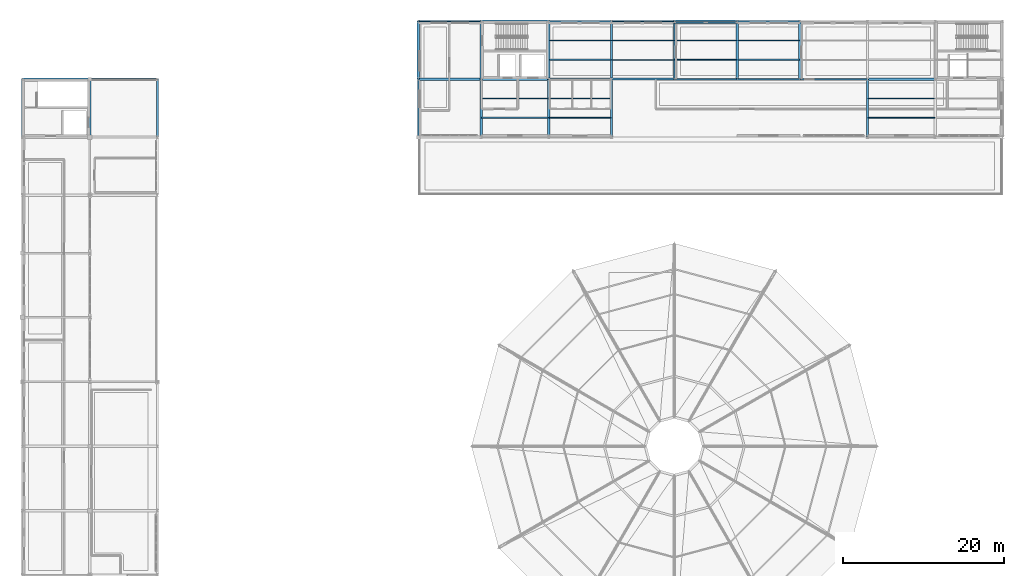
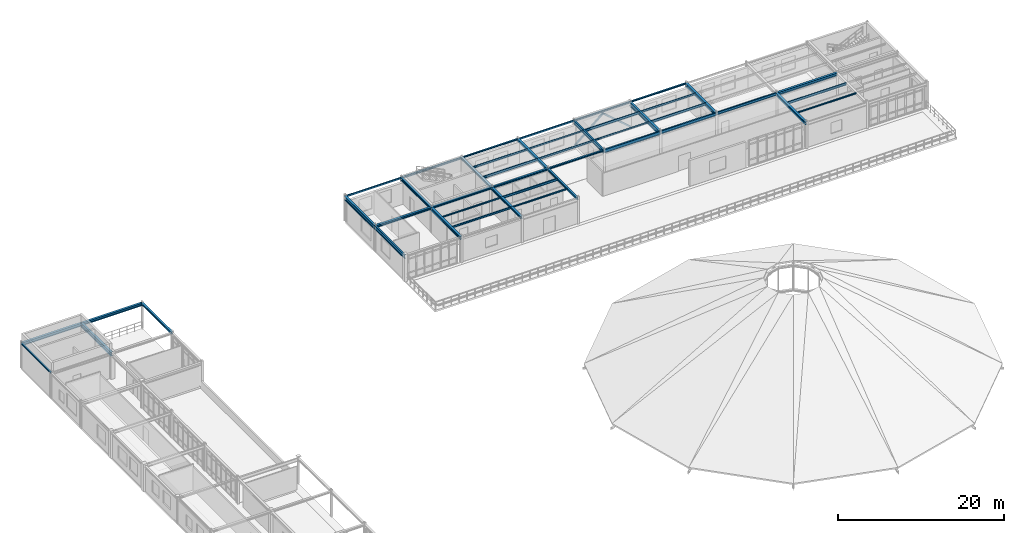
# One storey, part 30 of 58: 45 beams, 2 members.
"""IFC4 building model written with IfcOpenShell, lengths in metres."""

from ifc_helpers import new_model, si_unit, derived_unit, direction, frame, origin, origin_2d, place, context, subcontext, project, spatial, hollow_rectangle, i_section, extrude, material, material_profile, profile_set, type_object, element, save


model = new_model("IFC4")

# Units and contexts
model_context = context("Model", 3, precision=1e-05, world=origin(), true_north=direction((0.0, 1.0)))
body_context = subcontext(model_context, "Body", "Model", "MODEL_VIEW")
ifc_project = project(units=[si_unit("LENGTHUNIT", "METRE"), si_unit("AREAUNIT", "SQUARE_METRE"), si_unit("VOLUMEUNIT", "CUBIC_METRE"), si_unit("PLANEANGLEUNIT", "RADIAN"), si_unit("MASSUNIT", "GRAM", prefix="KILO"), derived_unit("THERMALTRANSMITTANCEUNIT", [(si_unit("POWERUNIT", "WATT"), 1), (si_unit("AREAUNIT", "SQUARE_METRE"), -1), (si_unit("THERMODYNAMICTEMPERATUREUNIT", "KELVIN"), -1)])], contexts=[model_context])

# Site, building, storey
site_placement = place(None, origin())
site = spatial("IfcSite", under=ifc_project, at=site_placement, CompositionType="ELEMENT")
building_placement = place(site_placement, origin())
building = spatial("IfcBuilding", under=site, at=building_placement, Name="Yasenodar Specialist Clinic", CompositionType="ELEMENT")
storey_placement = place(building_placement, frame((0.0, 0.0, 21.300048828125)))
storey = spatial("IfcBuildingStorey", under=building, at=storey_placement, Name="L05", CompositionType="ELEMENT", Elevation=21.300048828125)

# Beams
ifc_material = material(Name="Steel S355", Category="steel")
ifc_material_profile_1 = material_profile(ifc_material, i_section(OverallWidth=0.219970703125, OverallDepth=0.2099609375, WebThickness=0.007080078125, FlangeThickness=0.010986328125, FilletRadius=0.01806640625, at=origin_2d()), Name="HEA 220")
ifc_profile_set_1 = profile_set([ifc_material_profile_1], Name="Steel S355")
beam_type_1 = type_object("IfcBeamType", Name="BM-HEA220", PredefinedType="BEAM", material=ifc_profile_set_1)
beam_1_placement = place(storey_placement, frame((73.199951171875, 104.39990234375, 3.695068359375), z_axis=(1.0, 0.0, 0.0), x_axis=(0.0, 1.0, 0.0)))
element("IfcBeam", 1, at=beam_1_placement, inside=storey, type_object=beam_type_1, Name="L05 Primary E-W Girder", PredefinedType="BEAM", context=body_context, shape_type="SweptSolid", body=[
    extrude(i_section(OverallWidth=0.219970703125, OverallDepth=0.2099609375, WebThickness=0.007080078125, FlangeThickness=0.010986328125, FilletRadius=0.01806640625, at=origin_2d()), origin(), (0.0, 0.0, 1.0), 7.800048828125),
])
ifc_material_profile_2 = material_profile(ifc_material, i_section(OverallWidth=0.260009765625, OverallDepth=0.25, WebThickness=0.007568359375, FlangeThickness=0.012451171875, FilletRadius=0.02392578125, at=origin_2d()), Name="HEA 260")
ifc_profile_set_2 = profile_set([ifc_material_profile_2], Name="Steel S355")
beam_type_2 = type_object("IfcBeamType", Name="BM-HEA260", PredefinedType="BEAM", material=ifc_profile_set_2)
beam_2_placement = place(storey_placement, frame((65.39990234375, 104.39990234375, 3.675048828125), z_axis=(1.0, 0.0, 0.0), x_axis=(0.0, 1.0, 0.0)))
element("IfcBeam", 2, at=beam_2_placement, inside=storey, type_object=beam_type_2, Name="L05 Primary E-W Girder", PredefinedType="BEAM", context=body_context, shape_type="SweptSolid", body=[
    extrude(i_section(OverallWidth=0.260009765625, OverallDepth=0.25, WebThickness=0.007568359375, FlangeThickness=0.012451171875, FilletRadius=0.02392578125, at=origin_2d()), origin(), (0.0, 0.0, 1.0), 7.800048828125),
])
ifc_material_profile_3 = material_profile(ifc_material, i_section(OverallWidth=0.280029296875, OverallDepth=0.27001953125, WebThickness=0.008056640625, FlangeThickness=0.012939453125, FilletRadius=0.02392578125, at=origin_2d()), Name="HEA 280")
ifc_profile_set_3 = profile_set([ifc_material_profile_3], Name="Steel S355")
beam_type_3 = type_object("IfcBeamType", Name="BM-HEA280", PredefinedType="BEAM", material=ifc_profile_set_3)
beam_3_placement = place(storey_placement, frame((57.0, 104.39990234375, 3.6650390625), z_axis=(1.0, 0.0, 0.0), x_axis=(0.0, 1.0, 0.0)))
element("IfcBeam", 3, at=beam_3_placement, inside=storey, type_object=beam_type_3, Name="L05 Primary E-W Girder", PredefinedType="BEAM", context=body_context, shape_type="SweptSolid", body=[
    extrude(i_section(OverallWidth=0.280029296875, OverallDepth=0.27001953125, WebThickness=0.008056640625, FlangeThickness=0.012939453125, FilletRadius=0.02392578125, at=origin_2d()), origin(), (0.0, 0.0, 1.0), 8.39990234375),
])
ifc_material_profile_4 = material_profile(ifc_material, i_section(OverallWidth=0.300048828125, OverallDepth=0.2900390625, WebThickness=0.008544921875, FlangeThickness=0.013916015625, FilletRadius=0.027099609375, at=origin_2d()), Name="HEA 300")
ifc_profile_set_4 = profile_set([ifc_material_profile_4], Name="Steel S355")
beam_type_4 = type_object("IfcBeamType", Name="BM-HEA300", PredefinedType="BEAM", material=ifc_profile_set_4)
beam_4_placement = place(storey_placement, frame((16.800048828125, 97.199951171875, 3.655029296875), z_axis=(0.0, 1.0, 0.0), x_axis=(-1.0, 0.0, 0.0)))
element("IfcBeam", 4, at=beam_4_placement, inside=storey, type_object=beam_type_4, Name="L05 Primary N-S Girder", PredefinedType="BEAM", context=body_context, shape_type="SweptSolid", body=[
    extrude(i_section(OverallWidth=0.300048828125, OverallDepth=0.2900390625, WebThickness=0.008544921875, FlangeThickness=0.013916015625, FilletRadius=0.027099609375, at=origin_2d()), origin(), (0.0, 0.0, 1.0), 7.199951171875),
])
beam_5_placement = place(storey_placement, frame((73.199951171875, 104.39990234375, 3.655029296875), z_axis=(0.0, 1.0, 0.0), x_axis=(-1.0, 0.0, 0.0)))
element("IfcBeam", 5, at=beam_5_placement, inside=storey, type_object=beam_type_4, Name="L05 Primary N-S Girder", PredefinedType="BEAM", context=body_context, shape_type="SweptSolid", body=[
    extrude(i_section(OverallWidth=0.300048828125, OverallDepth=0.2900390625, WebThickness=0.008544921875, FlangeThickness=0.013916015625, FilletRadius=0.027099609375, at=origin_2d()), origin(), (0.0, 0.0, 1.0), 7.2001953125),
])
ifc_material_profile_5 = material_profile(ifc_material, i_section(OverallWidth=0.300048828125, OverallDepth=0.330078125, WebThickness=0.009521484375, FlangeThickness=0.0166015625, FilletRadius=0.027099609375, at=origin_2d()), Name="HEA 340")
ifc_profile_set_5 = profile_set([ifc_material_profile_5], Name="Steel S355")
beam_type_5 = type_object("IfcBeamType", Name="BM-HEA340", PredefinedType="BEAM", material=ifc_profile_set_5)
beam_6_placement = place(storey_placement, frame((49.199951171875, 104.39990234375, 3.635009765625), z_axis=(1.0, 0.0, 0.0), x_axis=(0.0, 1.0, 0.0)))
element("IfcBeam", 6, at=beam_6_placement, inside=storey, type_object=beam_type_5, Name="L05 Primary E-W Girder", PredefinedType="BEAM", context=body_context, shape_type="SweptSolid", body=[
    extrude(i_section(OverallWidth=0.300048828125, OverallDepth=0.330078125, WebThickness=0.009521484375, FlangeThickness=0.0166015625, FilletRadius=0.027099609375, at=origin_2d()), origin(), (0.0, 0.0, 1.0), 7.800048828125),
])
ifc_material_profile_6 = material_profile(ifc_material, i_section(OverallWidth=0.300048828125, OverallDepth=0.389892578125, WebThickness=0.010986328125, FlangeThickness=0.01904296875, FilletRadius=0.027099609375, at=origin_2d()), Name="HEA 400")
ifc_profile_set_6 = profile_set([ifc_material_profile_6], Name="Steel S355")
beam_type_6 = type_object("IfcBeamType", Name="BM-HEA400", PredefinedType="BEAM", material=ifc_profile_set_6)
beam_7_placement = place(storey_placement, frame((8.39990234375, 104.39990234375, 3.60498046875), z_axis=(1.0, 0.0, 0.0), x_axis=(0.0, 1.0, 0.0)))
element("IfcBeam", 7, at=beam_7_placement, inside=storey, type_object=beam_type_6, Name="L05 Primary E-W Girder", PredefinedType="BEAM", context=body_context, shape_type="SweptSolid", body=[
    extrude(i_section(OverallWidth=0.300048828125, OverallDepth=0.389892578125, WebThickness=0.010986328125, FlangeThickness=0.01904296875, FilletRadius=0.027099609375, at=origin_2d()), origin(), (0.0, 0.0, 1.0), 8.400146484375),
])
ifc_material_profile_7 = material_profile(ifc_material, i_section(OverallWidth=0.300048828125, OverallDepth=0.43994140625, WebThickness=0.011474609375, FlangeThickness=0.02099609375, FilletRadius=0.027099609375, at=origin_2d()), Name="HEA 450")
ifc_profile_set_7 = profile_set([ifc_material_profile_7], Name="Steel S355")
beam_type_7 = type_object("IfcBeamType", Name="BM-HEA450", PredefinedType="BEAM", material=ifc_profile_set_7)
for number, where, z_axis, x_axis, name in (
    (8, (0.0, 104.39990234375, 3.579833984375), (1.0, 0.0, 0.0), (0.0, 1.0, 0.0), "L05 Primary E-W Girder"),
    (9, (105.0, 104.39990234375, 3.579833984375), (1.0, 0.0, 0.0), (0.0, 1.0, 0.0), "L05 Primary E-W Girder"),
):
    element("IfcBeam", number, at=place(storey_placement, frame(where, z_axis=z_axis, x_axis=x_axis)), inside=storey, type_object=beam_type_7, Name=name, PredefinedType="BEAM", context=body_context, shape_type="SweptSolid", body=[
        extrude(i_section(OverallWidth=0.300048828125, OverallDepth=0.43994140625, WebThickness=0.011474609375, FlangeThickness=0.02099609375, FilletRadius=0.027099609375, at=origin_2d()), origin(), (0.0, 0.0, 1.0), 8.39990234375),
    ])
ifc_material_profile_8 = material_profile(ifc_material, i_section(OverallWidth=0.280029296875, OverallDepth=0.280029296875, WebThickness=0.010498046875, FlangeThickness=0.01806640625, FilletRadius=0.02392578125, at=origin_2d()), Name="HEB 280")
ifc_profile_set_8 = profile_set([ifc_material_profile_8], Name="Steel S355")
beam_type_8 = type_object("IfcBeamType", Name="BM-HEB280", PredefinedType="BEAM", material=ifc_profile_set_8)
beam_8_placement = place(storey_placement, frame((73.199951171875, 97.199951171875, 3.659912109375), z_axis=(0.0, 1.0, 0.0), x_axis=(-1.0, 0.0, 0.0)))
element("IfcBeam", 10, at=beam_8_placement, inside=storey, type_object=beam_type_8, Name="L05 Primary N-S Girder", PredefinedType="BEAM", context=body_context, shape_type="SweptSolid", body=[
    extrude(i_section(OverallWidth=0.280029296875, OverallDepth=0.280029296875, WebThickness=0.010498046875, FlangeThickness=0.01806640625, FilletRadius=0.02392578125, at=origin_2d()), origin(), (0.0, 0.0, 1.0), 7.199951171875),
])
ifc_material_profile_9 = material_profile(ifc_material, i_section(OverallWidth=0.300048828125, OverallDepth=0.300048828125, WebThickness=0.010986328125, FlangeThickness=0.01904296875, FilletRadius=0.027099609375, at=origin_2d()), Name="HEB 300")
ifc_profile_set_9 = profile_set([ifc_material_profile_9], Name="Steel S355")
beam_type_9 = type_object("IfcBeamType", Name="BM-HEB300", PredefinedType="BEAM", material=ifc_profile_set_9)
beam_9_placement = place(storey_placement, frame((65.39990234375, 104.39990234375, 3.64990234375), z_axis=(0.0, 1.0, 0.0), x_axis=(-1.0, 0.0, 0.0)))
element("IfcBeam", 11, at=beam_9_placement, inside=storey, type_object=beam_type_9, Name="L05 Primary N-S Girder", PredefinedType="BEAM", context=body_context, shape_type="SweptSolid", body=[
    extrude(i_section(OverallWidth=0.300048828125, OverallDepth=0.300048828125, WebThickness=0.010986328125, FlangeThickness=0.01904296875, FilletRadius=0.027099609375, at=origin_2d()), origin(), (0.0, 0.0, 1.0), 7.2001953125),
])
ifc_material_profile_10 = material_profile(ifc_material, i_section(OverallWidth=0.300048828125, OverallDepth=0.340087890625, WebThickness=0.011962890625, FlangeThickness=0.021484375, FilletRadius=0.027099609375, at=origin_2d()), Name="HEB 340")
ifc_profile_set_10 = profile_set([ifc_material_profile_10], Name="Steel S355")
beam_type_10 = type_object("IfcBeamType", Name="BM-HEB340", PredefinedType="BEAM", material=ifc_profile_set_10)
beam_10_placement = place(storey_placement, frame((65.39990234375, 97.199951171875, 3.6298828125), z_axis=(0.0, 1.0, 0.0), x_axis=(-1.0, 0.0, 0.0)))
element("IfcBeam", 12, at=beam_10_placement, inside=storey, type_object=beam_type_10, Name="L05 Primary N-S Girder", PredefinedType="BEAM", context=body_context, shape_type="SweptSolid", body=[
    extrude(i_section(OverallWidth=0.300048828125, OverallDepth=0.340087890625, WebThickness=0.011962890625, FlangeThickness=0.021484375, FilletRadius=0.027099609375, at=origin_2d()), origin(), (0.0, 0.0, 1.0), 7.199951171875),
])
ifc_material_profile_11 = material_profile(ifc_material, i_section(OverallWidth=0.300048828125, OverallDepth=0.39990234375, WebThickness=0.013427734375, FlangeThickness=0.02392578125, FilletRadius=0.027099609375, at=origin_2d()), Name="HEB 400")
ifc_profile_set_11 = profile_set([ifc_material_profile_11], Name="Steel S355")
beam_type_11 = type_object("IfcBeamType", Name="BM-HEB400", PredefinedType="BEAM", material=ifc_profile_set_11)
beam_11_placement = place(storey_placement, frame((57.0, 104.39990234375, 3.599853515625), z_axis=(0.0, 1.0, 0.0), x_axis=(-1.0, 0.0, 0.0)))
element("IfcBeam", 13, at=beam_11_placement, inside=storey, type_object=beam_type_11, Name="L05 Primary N-S Girder", PredefinedType="BEAM", context=body_context, shape_type="SweptSolid", body=[
    extrude(i_section(OverallWidth=0.300048828125, OverallDepth=0.39990234375, WebThickness=0.013427734375, FlangeThickness=0.02392578125, FilletRadius=0.027099609375, at=origin_2d()), origin(), (0.0, 0.0, 1.0), 7.2001953125),
])
beam_12_placement = place(storey_placement, frame((105.0, 97.199951171875, 3.599853515625), z_axis=(0.0, 1.0, 0.0), x_axis=(-1.0, 0.0, 0.0)))
element("IfcBeam", 14, at=beam_12_placement, inside=storey, type_object=beam_type_11, Name="L05 Primary N-S Girder", PredefinedType="BEAM", context=body_context, shape_type="SweptSolid", body=[
    extrude(i_section(OverallWidth=0.300048828125, OverallDepth=0.39990234375, WebThickness=0.013427734375, FlangeThickness=0.02392578125, FilletRadius=0.027099609375, at=origin_2d()), origin(), (0.0, 0.0, 1.0), 7.199951171875),
])
ifc_material_profile_12 = material_profile(ifc_material, i_section(OverallWidth=0.300048828125, OverallDepth=0.449951171875, WebThickness=0.013916015625, FlangeThickness=0.02587890625, FilletRadius=0.027099609375, at=origin_2d()), Name="HEB 450")
ifc_profile_set_12 = profile_set([ifc_material_profile_12], Name="Steel S355")
beam_type_12 = type_object("IfcBeamType", Name="BM-HEB450", PredefinedType="BEAM", material=ifc_profile_set_12)
beam_13_placement = place(storey_placement, frame((57.0, 97.199951171875, 3.574951171875), z_axis=(0.0, 1.0, 0.0), x_axis=(-1.0, 0.0, 0.0)))
element("IfcBeam", 15, at=beam_13_placement, inside=storey, type_object=beam_type_12, Name="L05 Primary N-S Girder", PredefinedType="BEAM", context=body_context, shape_type="SweptSolid", body=[
    extrude(i_section(OverallWidth=0.300048828125, OverallDepth=0.449951171875, WebThickness=0.013916015625, FlangeThickness=0.02587890625, FilletRadius=0.027099609375, at=origin_2d()), origin(), (0.0, 0.0, 1.0), 7.199951171875),
])
beam_14_placement = place(storey_placement, frame((96.60009765625, 104.39990234375, 3.574951171875), z_axis=(0.0, 1.0, 0.0), x_axis=(-1.0, 0.0, 0.0)))
element("IfcBeam", 16, at=beam_14_placement, inside=storey, type_object=beam_type_12, Name="L05 Primary N-S Girder", PredefinedType="BEAM", context=body_context, shape_type="SweptSolid", body=[
    extrude(i_section(OverallWidth=0.300048828125, OverallDepth=0.449951171875, WebThickness=0.013916015625, FlangeThickness=0.02587890625, FilletRadius=0.027099609375, at=origin_2d()), origin(), (0.0, 0.0, 1.0), 7.2001953125),
])
ifc_material_profile_13 = material_profile(ifc_material, i_section(OverallWidth=0.300048828125, OverallDepth=0.60009765625, WebThickness=0.015380859375, FlangeThickness=0.030029296875, FilletRadius=0.027099609375, at=origin_2d()), Name="HEB 600")
ifc_profile_set_13 = profile_set([ifc_material_profile_13], Name="Steel S355")
beam_type_13 = type_object("IfcBeamType", Name="BM-HEB600", PredefinedType="BEAM", material=ifc_profile_set_13)
beam_15_placement = place(storey_placement, frame((8.39990234375, 97.199951171875, 3.5), z_axis=(0.0, 1.0, 0.0), x_axis=(-1.0, 0.0, 0.0)))
element("IfcBeam", 17, at=beam_15_placement, inside=storey, type_object=beam_type_13, Name="L05 Primary N-S Girder", PredefinedType="BEAM", context=body_context, shape_type="SweptSolid", body=[
    extrude(i_section(OverallWidth=0.300048828125, OverallDepth=0.60009765625, WebThickness=0.015380859375, FlangeThickness=0.030029296875, FilletRadius=0.027099609375, at=origin_2d()), origin(), (0.0, 0.0, 1.0), 7.199951171875),
])
for number, where, z_axis, x_axis, name in (
    (18, (49.199951171875, 104.39990234375, 3.5), (0.0, 1.0, 0.0), (-1.0, 0.0, 0.0), "L05 Primary N-S Girder"),
    (19, (88.800048828125, 104.39990234375, 3.5), (0.0, 1.0, 0.0), (-1.0, 0.0, 0.0), "L05 Primary N-S Girder"),
):
    element("IfcBeam", number, at=place(storey_placement, frame(where, z_axis=z_axis, x_axis=x_axis)), inside=storey, type_object=beam_type_13, Name=name, PredefinedType="BEAM", context=body_context, shape_type="SweptSolid", body=[
        extrude(i_section(OverallWidth=0.300048828125, OverallDepth=0.60009765625, WebThickness=0.015380859375, FlangeThickness=0.030029296875, FilletRadius=0.027099609375, at=origin_2d()), origin(), (0.0, 0.0, 1.0), 7.2001953125),
    ])
ifc_material_profile_14 = material_profile(ifc_material, i_section(OverallWidth=0.179931640625, OverallDepth=0.39990234375, WebThickness=0.008544921875, FlangeThickness=0.013427734375, FilletRadius=0.02099609375, at=origin_2d()), Name="IPE 400")
ifc_profile_set_14 = profile_set([ifc_material_profile_14], Name="Steel S355")
beam_type_14 = type_object("IfcBeamType", Name="BM-IPE400", PredefinedType="BEAM", material=ifc_profile_set_14)
beam_16_placement = place(storey_placement, frame((96.60009765625, 104.39990234375, 3.599853515625), z_axis=(1.0, 0.0, 0.0), x_axis=(0.0, 1.0, 0.0)))
element("IfcBeam", 20, at=beam_16_placement, inside=storey, type_object=beam_type_14, Name="L05 Primary E-W Girder", PredefinedType="BEAM", context=body_context, shape_type="SweptSolid", body=[
    extrude(i_section(OverallWidth=0.179931640625, OverallDepth=0.39990234375, WebThickness=0.008544921875, FlangeThickness=0.013427734375, FilletRadius=0.02099609375, at=origin_2d()), origin(), (0.0, 0.0, 1.0), 8.39990234375),
])
ifc_material_profile_15 = material_profile(ifc_material, i_section(OverallWidth=0.18994140625, OverallDepth=0.449951171875, WebThickness=0.009521484375, FlangeThickness=0.0146484375, FilletRadius=0.02099609375, at=origin_2d()), Name="IPE 450")
ifc_profile_set_15 = profile_set([ifc_material_profile_15], Name="Steel S355")
beam_type_15 = type_object("IfcBeamType", Name="BM-IPE450", PredefinedType="BEAM", material=ifc_profile_set_15)
beam_17_placement = place(storey_placement, frame((88.800048828125, 104.39990234375, 3.574951171875), z_axis=(1.0, 0.0, 0.0), x_axis=(0.0, 1.0, 0.0)))
element("IfcBeam", 21, at=beam_17_placement, inside=storey, type_object=beam_type_15, Name="L05 Primary E-W Girder", PredefinedType="BEAM", context=body_context, shape_type="SweptSolid", body=[
    extrude(i_section(OverallWidth=0.18994140625, OverallDepth=0.449951171875, WebThickness=0.009521484375, FlangeThickness=0.0146484375, FilletRadius=0.02099609375, at=origin_2d()), origin(), (0.0, 0.0, 1.0), 7.800048828125),
])
ifc_material_profile_16 = material_profile(ifc_material, i_section(OverallWidth=0.199951171875, OverallDepth=0.5, WebThickness=0.01025390625, FlangeThickness=0.01611328125, FilletRadius=0.02099609375, at=origin_2d()), Name="IPE 500")
ifc_profile_set_16 = profile_set([ifc_material_profile_16], Name="Steel S355")
beam_type_16 = type_object("IfcBeamType", Name="BM-IPE500", PredefinedType="BEAM", material=ifc_profile_set_16)
beam_18_placement = place(storey_placement, frame((81.0, 104.39990234375, 3.550048828125), z_axis=(1.0, 0.0, 0.0), x_axis=(0.0, 1.0, 0.0)))
element("IfcBeam", 22, at=beam_18_placement, inside=storey, type_object=beam_type_16, Name="L05 Primary E-W Girder", PredefinedType="BEAM", context=body_context, shape_type="SweptSolid", body=[
    extrude(i_section(OverallWidth=0.199951171875, OverallDepth=0.5, WebThickness=0.01025390625, FlangeThickness=0.01611328125, FilletRadius=0.02099609375, at=origin_2d()), origin(), (0.0, 0.0, 1.0), 7.800048828125),
])
ifc_material_profile_17 = material_profile(ifc_material, i_section(OverallWidth=0.2099609375, OverallDepth=0.550048828125, WebThickness=0.010986328125, FlangeThickness=0.01708984375, FilletRadius=0.02392578125, at=origin_2d()), Name="IPE 550")
ifc_profile_set_17 = profile_set([ifc_material_profile_17], Name="Steel S355")
beam_type_17 = type_object("IfcBeamType", Name="BM-IPE550", PredefinedType="BEAM", material=ifc_profile_set_17)
beam_19_placement = place(storey_placement, frame((49.199951171875, 97.199951171875, 3.52490234375), z_axis=(0.0, 1.0, 0.0), x_axis=(-1.0, 0.0, 0.0)))
element("IfcBeam", 23, at=beam_19_placement, inside=storey, type_object=beam_type_17, Name="L05 Primary N-S Girder", PredefinedType="BEAM", context=body_context, shape_type="SweptSolid", body=[
    extrude(i_section(OverallWidth=0.2099609375, OverallDepth=0.550048828125, WebThickness=0.010986328125, FlangeThickness=0.01708984375, FilletRadius=0.02392578125, at=origin_2d()), origin(), (0.0, 0.0, 1.0), 7.199951171875),
])
beam_20_placement = place(storey_placement, frame((81.0, 104.39990234375, 3.52490234375), z_axis=(0.0, 1.0, 0.0), x_axis=(-1.0, 0.0, 0.0)))
element("IfcBeam", 24, at=beam_20_placement, inside=storey, type_object=beam_type_17, Name="L05 Primary N-S Girder", PredefinedType="BEAM", context=body_context, shape_type="SweptSolid", body=[
    extrude(i_section(OverallWidth=0.2099609375, OverallDepth=0.550048828125, WebThickness=0.010986328125, FlangeThickness=0.01708984375, FilletRadius=0.02392578125, at=origin_2d()), origin(), (0.0, 0.0, 1.0), 7.2001953125),
])

# Members
ifc_material_profile_18 = material_profile(ifc_material, hollow_rectangle(XDim=0.219970703125, YDim=0.219970703125, WallThickness=0.012451171875, InnerFilletRadius=0.018798828125, OuterFilletRadius=0.03125, at=origin_2d()), Name="SHS 220x220x12.5")
ifc_profile_set_18 = profile_set([ifc_material_profile_18], Name="Steel S355")
member_type = type_object("IfcMemberType", Name="BR-LAT-SHS220", PredefinedType="BRACE", material=ifc_profile_set_18)
for number, where, z_axis, x_axis, name in (
    (25, (81.0, 111.425048828125, 0.14990234375), (0.758552238015, 0.0, 0.651612233006), (0.0, 1.0, 0.0), "L05 Lateral Chevron Brace 09A"),
    (26, (88.800048828125, 111.425048828125, 0.14990234375), (-0.758572399699, 0.0, 0.651588761732), (0.0, -1.0, 0.0), "L05 Lateral Chevron Brace 09B"),
):
    element("IfcMember", number, at=place(storey_placement, frame(where, z_axis=z_axis, x_axis=x_axis)), inside=storey, type_object=member_type, Name=name, PredefinedType="BRACE", context=body_context, shape_type="SweptSolid", body=[
        extrude(hollow_rectangle(XDim=0.219970703125, YDim=0.219970703125, WallThickness=0.012451171875, InnerFilletRadius=0.018798828125, OuterFilletRadius=0.03125, at=origin_2d()), origin(), (0.0, 0.0, 1.0), 5.141357421875),
    ])

# Beams
ifc_material_profile_19 = material_profile(ifc_material, i_section(OverallWidth=0.110107421875, OverallDepth=0.219970703125, WebThickness=0.005859375, FlangeThickness=0.00927734375, FilletRadius=0.011962890625, at=origin_2d()), Name="IPE 220")
ifc_profile_set_19 = profile_set([ifc_material_profile_19], Name="Steel S355")
beam_type_18 = type_object("IfcBeamType", Name="JS-IPE220", PredefinedType="JOIST", material=ifc_profile_set_19)
beam_21_placement = place(storey_placement, frame((57.080078125, 102.0, 3.68994140625), z_axis=(1.0, 0.0, 0.0), x_axis=(0.0, 1.0, 0.0)))
element("IfcBeam", 27, at=beam_21_placement, inside=storey, type_object=beam_type_18, Name="L05 Composite Floor Joist", PredefinedType="JOIST", context=body_context, shape_type="SweptSolid", body=[
    extrude(i_section(OverallWidth=0.110107421875, OverallDepth=0.219970703125, WebThickness=0.005859375, FlangeThickness=0.00927734375, FilletRadius=0.011962890625, at=origin_2d()), origin(), (0.0, 0.0, 1.0), 8.239990234375),
])
beam_22_placement = place(storey_placement, frame((65.47998046875, 99.60009765625, 3.68994140625), z_axis=(1.0, 0.0, 0.0), x_axis=(0.0, 1.0, 0.0)))
element("IfcBeam", 28, at=beam_22_placement, inside=storey, type_object=beam_type_18, Name="L05 Composite Floor Joist", PredefinedType="JOIST", context=body_context, shape_type="SweptSolid", body=[
    extrude(i_section(OverallWidth=0.110107421875, OverallDepth=0.219970703125, WebThickness=0.005859375, FlangeThickness=0.00927734375, FilletRadius=0.011962890625, at=origin_2d()), origin(), (0.0, 0.0, 1.0), 7.64013671875),
])
for number, where, z_axis, x_axis, name in (
    (29, (73.280029296875, 109.199951171875, 3.68994140625), (1.0, 0.0, 0.0), (0.0, 1.0, 0.0), "L05 Composite Floor Joist"),
    (30, (81.080078125, 106.800048828125, 3.68994140625), (1.0, 0.0, 0.0), (0.0, 1.0, 0.0), "L05 Composite Floor Joist"),
):
    element("IfcBeam", number, at=place(storey_placement, frame(where, z_axis=z_axis, x_axis=x_axis)), inside=storey, type_object=beam_type_18, Name=name, PredefinedType="JOIST", context=body_context, shape_type="SweptSolid", body=[
        extrude(i_section(OverallWidth=0.110107421875, OverallDepth=0.219970703125, WebThickness=0.005859375, FlangeThickness=0.00927734375, FilletRadius=0.011962890625, at=origin_2d()), origin(), (0.0, 0.0, 1.0), 7.639892578125),
    ])
beam_23_placement = place(storey_placement, frame((105.080078125, 99.60009765625, 3.68994140625), z_axis=(1.0, 0.0, 0.0), x_axis=(0.0, 1.0, 0.0)))
element("IfcBeam", 31, at=beam_23_placement, inside=storey, type_object=beam_type_18, Name="L05 Composite Floor Joist", PredefinedType="JOIST", context=body_context, shape_type="SweptSolid", body=[
    extrude(i_section(OverallWidth=0.110107421875, OverallDepth=0.219970703125, WebThickness=0.005859375, FlangeThickness=0.00927734375, FilletRadius=0.011962890625, at=origin_2d()), origin(), (0.0, 0.0, 1.0), 8.239990234375),
])
ifc_material_profile_20 = material_profile(ifc_material, i_section(OverallWidth=0.135009765625, OverallDepth=0.27001953125, WebThickness=0.006591796875, FlangeThickness=0.01025390625, FilletRadius=0.014892578125, at=origin_2d()), Name="IPE 270")
ifc_profile_set_20 = profile_set([ifc_material_profile_20], Name="Steel S355")
beam_type_19 = type_object("IfcBeamType", Name="JS-IPE270", PredefinedType="JOIST", material=ifc_profile_set_20)
beam_24_placement = place(storey_placement, frame((57.080078125, 99.60009765625, 3.6650390625), z_axis=(1.0, 0.0, 0.0), x_axis=(0.0, 1.0, 0.0)))
element("IfcBeam", 32, at=beam_24_placement, inside=storey, type_object=beam_type_19, Name="L05 Composite Floor Joist", PredefinedType="JOIST", context=body_context, shape_type="SweptSolid", body=[
    extrude(i_section(OverallWidth=0.135009765625, OverallDepth=0.27001953125, WebThickness=0.006591796875, FlangeThickness=0.01025390625, FilletRadius=0.014892578125, at=origin_2d()), origin(), (0.0, 0.0, 1.0), 8.239990234375),
])
beam_25_placement = place(storey_placement, frame((65.47998046875, 109.199951171875, 3.6650390625), z_axis=(1.0, 0.0, 0.0), x_axis=(0.0, 1.0, 0.0)))
element("IfcBeam", 33, at=beam_25_placement, inside=storey, type_object=beam_type_19, Name="L05 Composite Floor Joist", PredefinedType="JOIST", context=body_context, shape_type="SweptSolid", body=[
    extrude(i_section(OverallWidth=0.135009765625, OverallDepth=0.27001953125, WebThickness=0.006591796875, FlangeThickness=0.01025390625, FilletRadius=0.014892578125, at=origin_2d()), origin(), (0.0, 0.0, 1.0), 7.64013671875),
])
beam_26_placement = place(storey_placement, frame((73.280029296875, 106.800048828125, 3.6650390625), z_axis=(1.0, 0.0, 0.0), x_axis=(0.0, 1.0, 0.0)))
element("IfcBeam", 34, at=beam_26_placement, inside=storey, type_object=beam_type_19, Name="L05 Composite Floor Joist", PredefinedType="JOIST", context=body_context, shape_type="SweptSolid", body=[
    extrude(i_section(OverallWidth=0.135009765625, OverallDepth=0.27001953125, WebThickness=0.006591796875, FlangeThickness=0.01025390625, FilletRadius=0.014892578125, at=origin_2d()), origin(), (0.0, 0.0, 1.0), 7.639892578125),
])
beam_27_placement = place(storey_placement, frame((88.8798828125, 109.199951171875, 3.6650390625), z_axis=(1.0, 0.0, 0.0), x_axis=(0.0, 1.0, 0.0)))
element("IfcBeam", 35, at=beam_27_placement, inside=storey, type_object=beam_type_19, Name="L05 Composite Floor Joist", PredefinedType="JOIST", context=body_context, shape_type="SweptSolid", body=[
    extrude(i_section(OverallWidth=0.135009765625, OverallDepth=0.27001953125, WebThickness=0.006591796875, FlangeThickness=0.01025390625, FilletRadius=0.014892578125, at=origin_2d()), origin(), (0.0, 0.0, 1.0), 7.64013671875),
])
ifc_material_profile_21 = material_profile(ifc_material, i_section(OverallWidth=0.159912109375, OverallDepth=0.330078125, WebThickness=0.007568359375, FlangeThickness=0.011474609375, FilletRadius=0.01806640625, at=origin_2d()), Name="IPE 330")
ifc_profile_set_21 = profile_set([ifc_material_profile_21], Name="Steel S355")
beam_type_20 = type_object("IfcBeamType", Name="JS-IPE330", PredefinedType="JOIST", material=ifc_profile_set_21)
for number, where, z_axis, x_axis, name in (
    (36, (65.47998046875, 102.0, 3.635009765625), (1.0, 0.0, 0.0), (0.0, 1.0, 0.0), "L05 Composite Floor Joist"),
    (37, (65.47998046875, 106.800048828125, 3.635009765625), (1.0, 0.0, 0.0), (0.0, 1.0, 0.0), "L05 Composite Floor Joist"),
):
    element("IfcBeam", number, at=place(storey_placement, frame(where, z_axis=z_axis, x_axis=x_axis)), inside=storey, type_object=beam_type_20, Name=name, PredefinedType="JOIST", context=body_context, shape_type="SweptSolid", body=[
        extrude(i_section(OverallWidth=0.159912109375, OverallDepth=0.330078125, WebThickness=0.007568359375, FlangeThickness=0.011474609375, FilletRadius=0.01806640625, at=origin_2d()), origin(), (0.0, 0.0, 1.0), 7.64013671875),
    ])
beam_28_placement = place(storey_placement, frame((81.080078125, 109.199951171875, 3.635009765625), z_axis=(1.0, 0.0, 0.0), x_axis=(0.0, 1.0, 0.0)))
element("IfcBeam", 38, at=beam_28_placement, inside=storey, type_object=beam_type_20, Name="L05 Composite Floor Joist", PredefinedType="JOIST", context=body_context, shape_type="SweptSolid", body=[
    extrude(i_section(OverallWidth=0.159912109375, OverallDepth=0.330078125, WebThickness=0.007568359375, FlangeThickness=0.011474609375, FilletRadius=0.01806640625, at=origin_2d()), origin(), (0.0, 0.0, 1.0), 7.639892578125),
])
beam_29_placement = place(storey_placement, frame((88.8798828125, 106.800048828125, 3.635009765625), z_axis=(1.0, 0.0, 0.0), x_axis=(0.0, 1.0, 0.0)))
element("IfcBeam", 39, at=beam_29_placement, inside=storey, type_object=beam_type_20, Name="L05 Composite Floor Joist", PredefinedType="JOIST", context=body_context, shape_type="SweptSolid", body=[
    extrude(i_section(OverallWidth=0.159912109375, OverallDepth=0.330078125, WebThickness=0.007568359375, FlangeThickness=0.011474609375, FilletRadius=0.01806640625, at=origin_2d()), origin(), (0.0, 0.0, 1.0), 7.64013671875),
])
beam_30_placement = place(storey_placement, frame((105.080078125, 102.0, 3.635009765625), z_axis=(1.0, 0.0, 0.0), x_axis=(0.0, 1.0, 0.0)))
element("IfcBeam", 40, at=beam_30_placement, inside=storey, type_object=beam_type_20, Name="L05 Composite Floor Joist", PredefinedType="JOIST", context=body_context, shape_type="SweptSolid", body=[
    extrude(i_section(OverallWidth=0.159912109375, OverallDepth=0.330078125, WebThickness=0.007568359375, FlangeThickness=0.011474609375, FilletRadius=0.01806640625, at=origin_2d()), origin(), (0.0, 0.0, 1.0), 8.239990234375),
])
ifc_material_profile_22 = material_profile(ifc_material, i_section(OverallWidth=0.199951171875, OverallDepth=0.18994140625, WebThickness=0.006591796875, FlangeThickness=0.010009765625, FilletRadius=0.01806640625, at=origin_2d()), Name="HEA 200")
ifc_profile_set_22 = profile_set([ifc_material_profile_22], Name="Steel S355")
beam_type_21 = type_object("IfcBeamType", Name="SP-HEA200", PredefinedType="SPANDREL", material=ifc_profile_set_22)
for number, where, z_axis, x_axis, name in (
    (41, (65.39990234375, 111.60009765625, 3.704833984375), (1.0, 0.0, 0.0), (0.0, 1.0, 0.0), "L05 Perimeter Spandrel Beam"),
    (42, (88.800048828125, 111.60009765625, 3.704833984375), (1.0, 0.0, 0.0), (0.0, 1.0, 0.0), "L05 Perimeter Spandrel Beam"),
):
    element("IfcBeam", number, at=place(storey_placement, frame(where, z_axis=z_axis, x_axis=x_axis)), inside=storey, type_object=beam_type_21, Name=name, PredefinedType="SPANDREL", context=body_context, shape_type="SweptSolid", body=[
        extrude(i_section(OverallWidth=0.199951171875, OverallDepth=0.18994140625, WebThickness=0.006591796875, FlangeThickness=0.010009765625, FilletRadius=0.01806640625, at=origin_2d()), origin(), (0.0, 0.0, 1.0), 7.800048828125),
    ])
beam_31_placement = place(storey_placement, frame((0.0, 97.199951171875, 3.704833984375), z_axis=(0.0, 1.0, 0.0), x_axis=(-1.0, 0.0, 0.0)))
element("IfcBeam", 43, at=beam_31_placement, inside=storey, type_object=beam_type_21, Name="L05 Perimeter Spandrel Beam", PredefinedType="SPANDREL", context=body_context, shape_type="SweptSolid", body=[
    extrude(i_section(OverallWidth=0.199951171875, OverallDepth=0.18994140625, WebThickness=0.006591796875, FlangeThickness=0.010009765625, FilletRadius=0.01806640625, at=origin_2d()), origin(), (0.0, 0.0, 1.0), 7.199951171875),
])
ifc_material_profile_23 = material_profile(ifc_material, i_section(OverallWidth=0.239990234375, OverallDepth=0.22998046875, WebThickness=0.007568359375, FlangeThickness=0.011962890625, FilletRadius=0.02099609375, at=origin_2d()), Name="HEA 240")
ifc_profile_set_23 = profile_set([ifc_material_profile_23], Name="Steel S355")
beam_type_22 = type_object("IfcBeamType", Name="SP-HEA240", PredefinedType="SPANDREL", material=ifc_profile_set_23)
beam_32_placement = place(storey_placement, frame((57.0, 111.60009765625, 3.68505859375), z_axis=(1.0, 0.0, 0.0), x_axis=(0.0, 1.0, 0.0)))
element("IfcBeam", 44, at=beam_32_placement, inside=storey, type_object=beam_type_22, Name="L05 Perimeter Spandrel Beam", PredefinedType="SPANDREL", context=body_context, shape_type="SweptSolid", body=[
    extrude(i_section(OverallWidth=0.239990234375, OverallDepth=0.22998046875, WebThickness=0.007568359375, FlangeThickness=0.011962890625, FilletRadius=0.02099609375, at=origin_2d()), origin(), (0.0, 0.0, 1.0), 8.39990234375),
])
beam_33_placement = place(storey_placement, frame((81.0, 111.60009765625, 3.68505859375), z_axis=(1.0, 0.0, 0.0), x_axis=(0.0, 1.0, 0.0)))
element("IfcBeam", 45, at=beam_33_placement, inside=storey, type_object=beam_type_22, Name="L05 Perimeter Spandrel Beam", PredefinedType="SPANDREL", context=body_context, shape_type="SweptSolid", body=[
    extrude(i_section(OverallWidth=0.239990234375, OverallDepth=0.22998046875, WebThickness=0.007568359375, FlangeThickness=0.011962890625, FilletRadius=0.02099609375, at=origin_2d()), origin(), (0.0, 0.0, 1.0), 7.800048828125),
])
ifc_material_profile_24 = material_profile(ifc_material, hollow_rectangle(XDim=0.14990234375, YDim=0.25, WallThickness=0.010009765625, InnerFilletRadius=0.014892578125, OuterFilletRadius=0.02490234375, at=origin_2d()), Name="RHS 250x150x10")
ifc_profile_set_24 = profile_set([ifc_material_profile_24], Name="Steel S355")
beam_type_23 = type_object("IfcBeamType", Name="SP-RHS250", PredefinedType="SPANDREL", material=ifc_profile_set_24)
for number, where, z_axis, x_axis, name in (
    (46, (49.199951171875, 111.60009765625, 3.675048828125), (1.0, 0.0, 0.0), (0.0, 1.0, 0.0), "L05 Perimeter Spandrel Beam"),
    (47, (73.199951171875, 111.60009765625, 3.675048828125), (1.0, 0.0, 0.0), (0.0, 1.0, 0.0), "L05 Perimeter Spandrel Beam"),
):
    element("IfcBeam", number, at=place(storey_placement, frame(where, z_axis=z_axis, x_axis=x_axis)), inside=storey, type_object=beam_type_23, Name=name, PredefinedType="SPANDREL", context=body_context, shape_type="SweptSolid", body=[
        extrude(hollow_rectangle(XDim=0.14990234375, YDim=0.25, WallThickness=0.010009765625, InnerFilletRadius=0.014892578125, OuterFilletRadius=0.02490234375, at=origin_2d()), origin(), (0.0, 0.0, 1.0), 7.800048828125),
    ])

save(model, "model.ifc")
